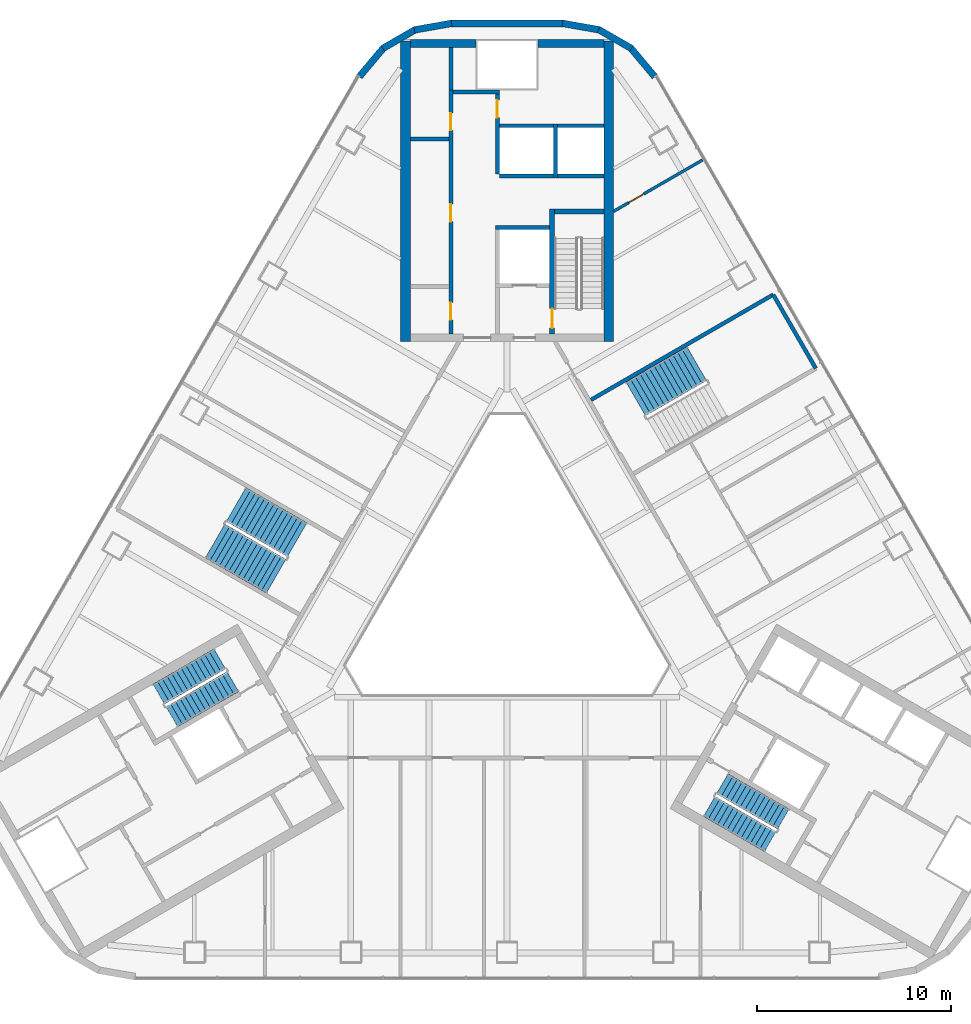
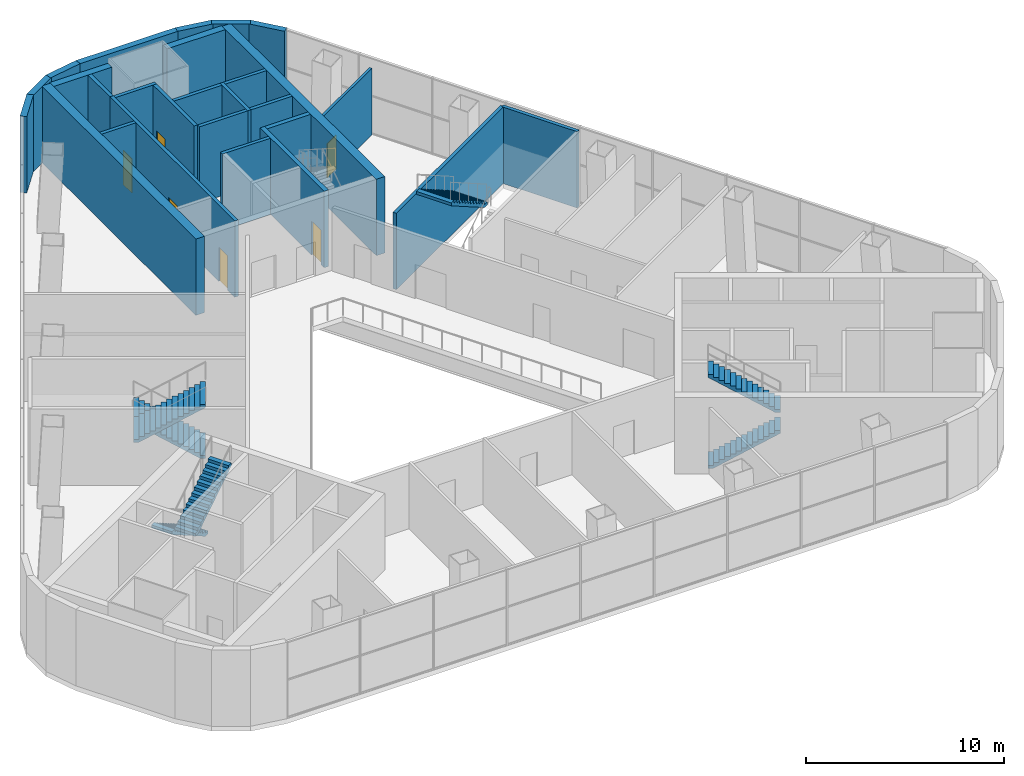
# One storey, part 10 of 13: 27 walls, 7 stair flights, 6 doors, 6 openings, 4 elements without a shape of their own.
"""IFC4 building model written with IfcOpenShell, lengths in metres."""

from ifc_helpers import new_model, si_unit, direction, frame, frame_2d, origin, place, context, subcontext, project, spatial, polyline, rectangle, outline, extrude, material, layer, layer_set, type_object, element, fill, aggregate, save


model = new_model("IFC4")

# Units and contexts
model_context = context("Model", 3, precision=1e-05, world=origin(), true_north=direction((0.0, 1.0)))
body_context = subcontext(model_context, "Body", "Model", "MODEL_VIEW")
ifc_project = project(units=[si_unit("LENGTHUNIT", "METRE"), si_unit("AREAUNIT", "SQUARE_METRE"), si_unit("VOLUMEUNIT", "CUBIC_METRE"), si_unit("PLANEANGLEUNIT", "RADIAN"), si_unit("MASSUNIT", "GRAM", prefix="KILO")], contexts=[model_context])

# Site, building, storey
site_placement = place(None, origin())
site = spatial("IfcSite", under=ifc_project, at=site_placement, CompositionType="ELEMENT")
building_placement = place(site_placement, origin())
building = spatial("IfcBuilding", under=site, at=building_placement, Name="Apuvela Tower Hotel", CompositionType="ELEMENT")
storey_placement = place(building_placement, frame((0.0, 0.0, 23.5)))
storey = spatial("IfcBuildingStorey", under=building, at=storey_placement, Name="L03", CompositionType="ELEMENT", Elevation=23.5)

# Walls
ifc_material_1 = material(Name="Concrete C50/60", Category="concrete")
ifc_layer_1 = layer(ifc_material_1, 0.39990234375)
ifc_layer_set_1 = layer_set([ifc_layer_1], Name="COR-WALL-CORE-400")
wall_type_1 = type_object("IfcWallType", Name="COR-WALL-CORE-400", PredefinedType="SHEAR", material=ifc_layer_set_1)
for number, where, z_axis, x_axis, name in (
    (1, (-1.60009765625, 28.300048828125, 0.0), (0.0, 0.0, 1.0), (-1.0, 0.0, 0.0), "Core wall N"),
    (2, (5.0, 28.300048828125, 0.0), (0.0, 0.0, 1.0), (-1.0, 0.0, 0.0), "Core wall N"),
):
    element("IfcWall", number, at=place(storey_placement, frame(where, z_axis=z_axis, x_axis=x_axis)), inside=storey, type_object=wall_type_1, Name=name, PredefinedType="SHEAR", context=body_context, shape_type="SweptSolid", body=[
        extrude(rectangle(XDim=3.39990234375, YDim=0.39990234375, at=frame_2d((1.699951171875, 0.0))), origin(), (0.0, 0.0, 1.0), 4.699951171875),
    ])
ifc_layer_2 = layer(ifc_material_1, 0.5)
ifc_layer_set_2 = layer_set([ifc_layer_2], Name="COR-WALL-CORE-500")
wall_type_2 = type_object("IfcWallType", Name="COR-WALL-CORE-500", PredefinedType="SHEAR", material=ifc_layer_set_2)
for number, where, z_axis, x_axis, name in (
    (3, (5.25, 12.89990234375, 0.0), (0.0, 0.0, 1.0), (0.0, 1.0, 0.0), "Core wall N"),
    (4, (-5.25, 12.89990234375, 0.0), (0.0, 0.0, 1.0), (0.0, 1.0, 0.0), "Core wall N"),
):
    element("IfcWall", number, at=place(storey_placement, frame(where, z_axis=z_axis, x_axis=x_axis)), inside=storey, type_object=wall_type_2, Name=name, PredefinedType="SHEAR", context=body_context, shape_type="SweptSolid", body=[
        extrude(rectangle(XDim=15.54248046875, YDim=0.5, at=frame_2d((7.771240234375, 0.0))), origin(), (0.0, 0.0, 1.0), 4.699951171875),
    ])
ifc_material_2 = material(Name="Blockwork 200 mm plastered", Category="masonry")
ifc_layer_3 = layer(ifc_material_2, 0.199951171875)
ifc_layer_set_3 = layer_set([ifc_layer_3], Name="COR-WALL-PART-200")
wall_type_3 = type_object("IfcWallType", Name="COR-WALL-PART-200", PredefinedType="PARTITIONING", material=ifc_layer_set_3)
wall_1_placement = place(storey_placement, frame((5.0, 21.449951171875, 0.0), z_axis=(0.0, 0.0, 1.0), x_axis=(-1.0, 0.0, 0.0)))
element("IfcWall", 5, at=wall_1_placement, inside=storey, type_object=wall_type_3, Name="Partition N", PredefinedType="PARTITIONING", context=body_context, shape_type="SweptSolid", body=[
    extrude(rectangle(XDim=2.39990234375, YDim=0.199951171875, at=frame_2d((1.199951171875, 0.0))), origin(), (0.0, 0.0, 1.0), 4.699951171875),
])
wall_2_placement = place(storey_placement, frame((2.39990234375, 21.449951171875, 0.0), z_axis=(0.0, 0.0, 1.0), x_axis=(-1.0, 0.0, 0.0)))
element("IfcWall", 6, at=wall_2_placement, inside=storey, type_object=wall_type_3, Name="Partition N", PredefinedType="PARTITIONING", context=body_context, shape_type="SweptSolid", body=[
    extrude(rectangle(XDim=2.7998046875, YDim=0.199951171875, at=frame_2d((1.39990234375, 0.0))), origin(), (0.0, 0.0, 1.0), 4.699951171875),
])
ifc_layer_4 = layer(ifc_material_1, 0.199951171875)
ifc_layer_set_4 = layer_set([ifc_layer_4], Name="COR-WALL-SHAFT-200")
wall_type_4 = type_object("IfcWallType", Name="COR-WALL-SHAFT-200", PredefinedType="SHEAR", material=ifc_layer_set_4)
wall_3_placement = place(storey_placement, frame((2.199951171875, 18.800048828125, 0.0), z_axis=(0.0, 0.0, 1.0), x_axis=(-1.0, 0.0, 0.0)))
element("IfcWall", 7, at=wall_3_placement, inside=storey, type_object=wall_type_4, Name="Shaft wall N", PredefinedType="SHEAR", context=body_context, shape_type="SweptSolid", body=[
    extrude(rectangle(XDim=2.800048828125, YDim=0.199951171875, at=frame_2d((1.39990234375, 0.0))), origin(), (0.0, 0.0, 1.0), 4.699951171875),
])

# Wall, openings, doors
wall_4_placement = place(storey_placement, frame((-2.89990234375, 13.300048828125, 0.0), z_axis=(0.0, 0.0, 1.0), x_axis=(0.0, 1.0, 0.0)))
wall_4 = element("IfcWall", 8, at=wall_4_placement, inside=storey, type_object=wall_type_4, Name="Shaft wall N", PredefinedType="SHEAR", context=body_context, shape_type="SweptSolid", body=[
    extrude(rectangle(XDim=12.599853515625, YDim=0.199951171875, at=frame_2d((6.2998046875, 0.0))), origin(), (0.0, 0.0, 1.0), 4.699951171875),
])
opening_1_placement = place(wall_4_placement, frame((0.719970703125, 0.0, 0.0)))
opening_1 = element("IfcOpeningElement", 9, at=opening_1_placement, cuts=wall_4, Name="Opening N-RE1", PredefinedType="OPENING", context=body_context, shape_type="SweptSolid", body=[
    extrude(rectangle(XDim=0.89990234375, YDim=2.10009765625, at=frame_2d((0.449951171875, 1.050048828125))), frame((0.0, 0.10986328125, 0.0), z_axis=(0.0, -1.0, 0.0), x_axis=(1.0, 0.0, 0.0)), (0.0, 0.0, 1.0), 0.219970703125),
])
opening_2_placement = place(wall_4_placement, frame((5.800048828125, 0.0, 0.0)))
opening_2 = element("IfcOpeningElement", 10, at=opening_2_placement, cuts=wall_4, Name="Opening N-RE2", PredefinedType="OPENING", context=body_context, shape_type="SweptSolid", body=[
    extrude(rectangle(XDim=0.89990234375, YDim=2.10009765625, at=frame_2d((0.449951171875, 1.050048828125))), frame((0.0, 0.10986328125, 0.0), z_axis=(0.0, -1.0, 0.0), x_axis=(1.0, 0.0, 0.0)), (0.0, 0.0, 1.0), 0.219970703125),
])
opening_3_placement = place(wall_4_placement, frame((10.510009765625, 0.0, 0.0)))
opening_3 = element("IfcOpeningElement", 11, at=opening_3_placement, cuts=wall_4, Name="Opening N-REP", PredefinedType="OPENING", context=body_context, shape_type="SweptSolid", body=[
    extrude(rectangle(XDim=0.89990234375, YDim=2.10009765625, at=frame_2d((0.449951171875, 1.050048828125))), frame((0.0, 0.10986328125, 0.0), z_axis=(0.0, -1.0, 0.0), x_axis=(1.0, 0.0, 0.0)), (0.0, 0.0, 1.0), 0.219970703125),
])
ifc_material_3 = material(Name="Steel fire door, powder coated", Category="steel")
door_type_1 = type_object("IfcDoorType", Name="COR-DR-900", OperationType="NOTDEFINED", PredefinedType="DOOR", material=ifc_material_3)
door_1_placement = place(opening_1_placement, origin())
door_1 = element("IfcDoor", 12, at=door_1_placement, inside=storey, type_object=door_type_1, Name="Store door N-RE1", OperationType="SINGLE_SWING_LEFT", OverallHeight=2.10009765625, OverallWidth=0.89990234375, PredefinedType="DOOR", context=body_context, shape_type="SweptSolid", body=[
    extrude(rectangle(XDim=0.89990234375, YDim=2.10009765625, at=frame_2d((0.449951171875, 1.050048828125))), frame((0.0, 0.02490234375, 0.0), z_axis=(0.0, -1.0, 0.0), x_axis=(1.0, 0.0, 0.0)), (0.0, 0.0, 1.0), 0.050048828125),
])
fill(opening_1, door_1)
door_2_placement = place(opening_2_placement, origin())
door_2 = element("IfcDoor", 13, at=door_2_placement, inside=storey, type_object=door_type_1, Name="Store door N-RE2", OperationType="SINGLE_SWING_RIGHT", OverallHeight=2.10009765625, OverallWidth=0.89990234375, PredefinedType="DOOR", context=body_context, shape_type="SweptSolid", body=[
    extrude(rectangle(XDim=0.89990234375, YDim=2.10009765625, at=frame_2d((0.449951171875, 1.050048828125))), frame((0.0, 0.02490234375, 0.0), z_axis=(0.0, -1.0, 0.0), x_axis=(1.0, 0.0, 0.0)), (0.0, 0.0, 1.0), 0.050048828125),
])
fill(opening_2, door_2)
door_3_placement = place(opening_3_placement, origin())
door_3 = element("IfcDoor", 14, at=door_3_placement, inside=storey, type_object=door_type_1, Name="Store door N-REP", OperationType="SINGLE_SWING_RIGHT", OverallHeight=2.10009765625, OverallWidth=0.89990234375, PredefinedType="DOOR", context=body_context, shape_type="SweptSolid", body=[
    extrude(rectangle(XDim=0.89990234375, YDim=2.10009765625, at=frame_2d((0.449951171875, 1.050048828125))), frame((0.0, 0.02490234375, 0.0), z_axis=(0.0, -1.0, 0.0), x_axis=(1.0, 0.0, 0.0)), (0.0, 0.0, 1.0), 0.050048828125),
])
fill(opening_3, door_3)

# Wall
wall_5_placement = place(storey_placement, frame((-0.39990234375, 25.800048828125, 0.0), z_axis=(0.0, 0.0, 1.0), x_axis=(-1.0, 0.0, 0.0)))
element("IfcWall", 15, at=wall_5_placement, inside=storey, type_object=wall_type_4, Name="Shaft wall N", PredefinedType="SHEAR", context=body_context, shape_type="SweptSolid", body=[
    extrude(rectangle(XDim=2.400146484375, YDim=0.199951171875, at=frame_2d((1.2001953125, 0.0))), origin(), (0.0, 0.0, 1.0), 4.699951171875),
])

# Wall, opening, door
wall_6_placement = place(storey_placement, frame((-0.5, 21.550048828125, 0.0), z_axis=(0.0, 0.0, 1.0), x_axis=(0.0, 1.0, 0.0)))
wall_6 = element("IfcWall", 16, at=wall_6_placement, inside=storey, type_object=wall_type_4, Name="Shaft wall N", PredefinedType="SHEAR", context=body_context, shape_type="SweptSolid", body=[
    extrude(rectangle(XDim=4.14990234375, YDim=0.199951171875, at=frame_2d((2.074951171875, 0.0))), origin(), (0.0, 0.0, 1.0), 4.699951171875),
])
opening_4_placement = place(wall_6_placement, frame((2.925048828125, 0.0, 0.0)))
opening_4 = element("IfcOpeningElement", 17, at=opening_4_placement, cuts=wall_6, Name="Opening N-RSP", PredefinedType="OPENING", context=body_context, shape_type="SweptSolid", body=[
    extrude(rectangle(XDim=0.89990234375, YDim=2.10009765625, at=frame_2d((0.449951171875, 1.050048828125))), frame((0.0, 0.10986328125, 0.0), z_axis=(0.0, -1.0, 0.0), x_axis=(1.0, 0.0, 0.0)), (0.0, 0.0, 1.0), 0.219970703125),
])
door_4_placement = place(opening_4_placement, frame((0.89990234375, 0.0, 0.0), z_axis=(0.0, 0.0, 1.0), x_axis=(-1.0, 0.0, 0.0)))
door_4 = element("IfcDoor", 18, at=door_4_placement, inside=storey, type_object=door_type_1, Name="Store door N-RSP", OperationType="SINGLE_SWING_LEFT", OverallHeight=2.10009765625, OverallWidth=0.89990234375, PredefinedType="DOOR", context=body_context, shape_type="SweptSolid", body=[
    extrude(rectangle(XDim=0.89990234375, YDim=2.10009765625, at=frame_2d((0.449951171875, 1.050048828125))), frame((0.0, 0.02490234375, 0.0), z_axis=(0.0, -1.0, 0.0), x_axis=(1.0, 0.0, 0.0)), (0.0, 0.0, 1.0), 0.050048828125),
])
fill(opening_4, door_4)

# Walls
wall_7_placement = place(storey_placement, frame((-3.0, 23.360107421875, 0.0), z_axis=(0.0, 0.0, 1.0), x_axis=(-1.0, 0.0, 0.0)))
element("IfcWall", 19, at=wall_7_placement, inside=storey, type_object=wall_type_4, Name="Shaft wall N", PredefinedType="SHEAR", context=body_context, shape_type="SweptSolid", body=[
    extrude(rectangle(XDim=2.0, YDim=0.199951171875, at=frame_2d((1.0, 0.0))), origin(), (0.0, 0.0, 1.0), 4.699951171875),
])
wall_8_placement = place(storey_placement, frame((-2.89990234375, 25.89990234375, 0.0), z_axis=(0.0, 0.0, 1.0), x_axis=(0.0, 1.0, 0.0)))
element("IfcWall", 20, at=wall_8_placement, inside=storey, type_object=wall_type_4, Name="Shaft wall N", PredefinedType="SHEAR", context=body_context, shape_type="SweptSolid", body=[
    extrude(rectangle(XDim=2.2001953125, YDim=0.199951171875, at=frame_2d((1.10009765625, 0.0))), origin(), (0.0, 0.0, 1.0), 4.699951171875),
])
wall_9_placement = place(storey_placement, frame((2.5, 21.35009765625, 0.0), z_axis=(0.0, 0.0, 1.0), x_axis=(0.0, 1.0, 0.0)))
element("IfcWall", 21, at=wall_9_placement, inside=storey, type_object=wall_type_4, Name="Shaft wall N", PredefinedType="SHEAR", context=body_context, shape_type="SweptSolid", body=[
    extrude(rectangle(XDim=2.7998046875, YDim=0.199951171875, at=frame_2d((1.39990234375, 0.0))), origin(), (0.0, 0.0, 1.0), 4.699951171875),
])
wall_10_placement = place(storey_placement, frame((5.0, 24.050048828125, 0.0), z_axis=(0.0, 0.0, 1.0), x_axis=(-1.0, 0.0, 0.0)))
element("IfcWall", 22, at=wall_10_placement, inside=storey, type_object=wall_type_4, Name="Shaft wall N", PredefinedType="SHEAR", context=body_context, shape_type="SweptSolid", body=[
    extrude(rectangle(XDim=2.39990234375, YDim=0.199951171875, at=frame_2d((1.199951171875, 0.0))), origin(), (0.0, 0.0, 1.0), 4.699951171875),
])
wall_11_placement = place(storey_placement, frame((2.39990234375, 24.050048828125, 0.0), z_axis=(0.0, 0.0, 1.0), x_axis=(-1.0, 0.0, 0.0)))
element("IfcWall", 23, at=wall_11_placement, inside=storey, type_object=wall_type_4, Name="Shaft wall N", PredefinedType="SHEAR", context=body_context, shape_type="SweptSolid", body=[
    extrude(rectangle(XDim=2.7998046875, YDim=0.199951171875, at=frame_2d((1.39990234375, 0.0))), origin(), (0.0, 0.0, 1.0), 4.699951171875),
])

# Wall, opening, door
ifc_layer_5 = layer(ifc_material_1, 0.25)
ifc_layer_set_5 = layer_set([ifc_layer_5], Name="COR-WALL-STAIR-250")
wall_type_5 = type_object("IfcWallType", Name="COR-WALL-STAIR-250", PredefinedType="SHEAR", material=ifc_layer_set_5)
wall_12_placement = place(storey_placement, frame((2.324951171875, 13.300048828125, 0.0), z_axis=(0.0, 0.0, 1.0), x_axis=(0.0, 1.0, 0.0)))
wall_12 = element("IfcWall", 24, at=wall_12_placement, inside=storey, type_object=wall_type_5, Name="Stair wall N", PredefinedType="SHEAR", context=body_context, shape_type="SweptSolid", body=[
    extrude(rectangle(XDim=6.449951171875, YDim=0.25, at=frame_2d((3.22509765625, 0.0))), origin(), (0.0, 0.0, 1.0), 4.699951171875),
])
opening_5_placement = place(wall_12_placement, frame((0.300048828125, 0.0, 0.0)))
opening_5 = element("IfcOpeningElement", 25, at=opening_5_placement, cuts=wall_12, Name="Opening N-SD", PredefinedType="OPENING", context=body_context, shape_type="SweptSolid", body=[
    extrude(rectangle(XDim=1.0, YDim=2.10009765625, at=frame_2d((0.5, 1.050048828125))), frame((0.0, 0.135009765625, 0.0), z_axis=(0.0, -1.0, 0.0), x_axis=(1.0, 0.0, 0.0)), (0.0, 0.0, 1.0), 0.27001953125),
])
door_type_2 = type_object("IfcDoorType", Name="COR-SD-1000", OperationType="NOTDEFINED", PredefinedType="DOOR", material=ifc_material_3)
door_5_placement = place(opening_5_placement, frame((1.0, 0.0, 0.0), z_axis=(0.0, 0.0, 1.0), x_axis=(-1.0, 0.0, 0.0)))
door_5 = element("IfcDoor", 26, at=door_5_placement, inside=storey, type_object=door_type_2, Name="Stair door N-SD", OperationType="SINGLE_SWING_LEFT", OverallHeight=2.10009765625, OverallWidth=1.0, PredefinedType="DOOR", context=body_context, shape_type="SweptSolid", body=[
    extrude(rectangle(XDim=1.0, YDim=2.10009765625, at=frame_2d((0.5, 1.050048828125))), frame((0.0, 0.02490234375, 0.0), z_axis=(0.0, -1.0, 0.0), x_axis=(1.0, 0.0, 0.0)), (0.0, 0.0, 1.0), 0.050048828125),
])
fill(opening_5, door_5)

# Walls
wall_13_placement = place(storey_placement, frame((5.0, 19.625, 0.0), z_axis=(0.0, 0.0, 1.0), x_axis=(-1.0, 0.0, 0.0)))
element("IfcWall", 27, at=wall_13_placement, inside=storey, type_object=wall_type_5, Name="Stair wall N", PredefinedType="SHEAR", context=body_context, shape_type="SweptSolid", body=[
    extrude(rectangle(XDim=2.550048828125, YDim=0.25, at=frame_2d((1.27490234375, 0.0))), origin(), (0.0, 0.0, 1.0), 4.699951171875),
])
ifc_material_4 = material(Name="Concrete C40/50, dark pigmented precast panel", Category="concrete")
ifc_layer_6 = layer(ifc_material_4, 0.35009765625)
ifc_layer_set_6 = layer_set([ifc_layer_6], Name="ENV-WALL-350")
wall_type_6 = type_object("IfcWallType", Name="ENV-WALL-350", PredefinedType="SOLIDWALL", material=ifc_layer_set_6)
wall_14_placement = place(storey_placement, frame((6.42138671875, 28.048095703125, 0.0), z_axis=(0.0, 0.0, 1.0), x_axis=(-0.866027425724, 0.499996497882, 0.0)))
element("IfcWall", 28, at=wall_14_placement, inside=storey, type_object=wall_type_6, Name="External wall L03-01", PredefinedType="SOLIDWALL", context=body_context, shape_type="SweptSolid", body=[
    extrude(rectangle(XDim=1.95361328125, YDim=0.35009765625, at=frame_2d((0.976806640625, 0.0))), origin(), (0.0, 0.0, 1.0), 4.699951171875),
])
wall_15_placement = place(storey_placement, frame((4.786865234375, 29.004150390625, 0.0), z_axis=(0.0, 0.0, 1.0), x_axis=(-0.98479990812, 0.173692662389, 0.0)))
element("IfcWall", 29, at=wall_15_placement, inside=storey, type_object=wall_type_6, Name="External wall L03-02", PredefinedType="SOLIDWALL", context=body_context, shape_type="SweptSolid", body=[
    extrude(rectangle(XDim=1.953857421875, YDim=0.35009765625, at=frame_2d((0.97705078125, 0.0))), origin(), (0.0, 0.0, 1.0), 4.699951171875),
])
wall_16_placement = place(storey_placement, frame((2.893310546875, 29.3408203125, 0.0), z_axis=(0.0, 0.0, 1.0), x_axis=(-1.0, 0.0, 0.0)))
element("IfcWall", 30, at=wall_16_placement, inside=storey, type_object=wall_type_6, Name="External wall L03-03", PredefinedType="SOLIDWALL", context=body_context, shape_type="SweptSolid", body=[
    extrude(rectangle(XDim=5.78662109375, YDim=0.35009765625, at=frame_2d((2.893310546875, 0.0))), origin(), (0.0, 0.0, 1.0), 4.699951171875),
])
wall_17_placement = place(storey_placement, frame((-2.86279296875, 29.343505859375, 0.0), z_axis=(0.0, 0.0, 1.0), x_axis=(-0.98479990812, -0.173692662389, 0.0)))
element("IfcWall", 31, at=wall_17_placement, inside=storey, type_object=wall_type_6, Name="External wall L03-04", PredefinedType="SOLIDWALL", context=body_context, shape_type="SweptSolid", body=[
    extrude(rectangle(XDim=1.953857421875, YDim=0.35009765625, at=frame_2d((0.97705078125, 0.0))), origin(), (0.0, 0.0, 1.0), 4.699951171875),
])
wall_18_placement = place(storey_placement, frame((-4.7294921875, 29.02490234375, 0.0), z_axis=(0.0, 0.0, 1.0), x_axis=(-0.866027425724, -0.499996497882, 0.0)))
element("IfcWall", 32, at=wall_18_placement, inside=storey, type_object=wall_type_6, Name="External wall L03-05", PredefinedType="SOLIDWALL", context=body_context, shape_type="SweptSolid", body=[
    extrude(rectangle(XDim=1.95361328125, YDim=0.35009765625, at=frame_2d((0.976806640625, 0.0))), origin(), (0.0, 0.0, 1.0), 4.699951171875),
])
for number, where, z_axis, x_axis, name in (
    (33, (-6.375, 28.087158203125, 0.0), (0.0, 0.0, 1.0), (-0.642799224464, -0.766034697013, 0.0), "External wall L03-06"),
    (34, (7.630615234375, 26.5908203125, 0.0), (0.0, 0.0, 1.0), (-0.642799224464, 0.766034697013, 0.0), "External wall L03-24"),
):
    element("IfcWall", number, at=place(storey_placement, frame(where, z_axis=z_axis, x_axis=x_axis)), inside=storey, type_object=wall_type_6, Name=name, PredefinedType="SOLIDWALL", context=body_context, shape_type="SweptSolid", body=[
        extrude(rectangle(XDim=1.953369140625, YDim=0.35009765625, at=frame_2d((0.9765625, 0.0))), origin(), (0.0, 0.0, 1.0), 4.699951171875),
    ])

# Wall, opening, door
ifc_material_5 = material(Name="Gypsum board partition on steel stud", Category="steel")
ifc_layer_7 = layer(ifc_material_5, 0.14990234375)
ifc_layer_set_7 = layer_set([ifc_layer_7], Name="SPC-WALL-PARTITION")
wall_type_7 = type_object("IfcWallType", Name="SPC-WALL-PARTITION", PredefinedType="PARTITIONING", material=ifc_layer_set_7)
wall_19_placement = place(storey_placement, frame((10.088134765625, 22.27880859375, 0.0), z_axis=(0.0, 0.0, 1.0), x_axis=(-0.866028269386, -0.4999950366, 0.0)))
wall_19 = element("IfcWall", 35, at=wall_19_placement, inside=storey, type_object=wall_type_7, Name="Wall L03-NE-P08", PredefinedType="PARTITIONING", context=body_context, shape_type="SweptSolid", body=[
    extrude(rectangle(XDim=5.2978515625, YDim=0.14990234375, at=frame_2d((2.64892578125, 0.0))), origin(), (0.0, 0.0, 1.0), 4.10009765625),
])
opening_6_placement = place(wall_19_placement, frame((3.4990234375, 0.0, 0.0)))
opening_6 = element("IfcOpeningElement", 36, at=opening_6_placement, cuts=wall_19, Name="Opening L03-S04", PredefinedType="OPENING", context=body_context, shape_type="SweptSolid", body=[
    extrude(rectangle(XDim=0.89990234375, YDim=2.10009765625, at=frame_2d((0.449951171875, 1.050048828125))), frame((0.0, 0.0849609375, 0.0), z_axis=(0.0, -1.0, 0.0), x_axis=(1.0, 0.0, 0.0)), (0.0, 0.0, 1.0), 0.169921875),
])
ifc_material_6 = material(Name="Hardwood veneer door leaf", Category="wood")
door_type_3 = type_object("IfcDoorType", Name="SPC-DOOR-900", OperationType="NOTDEFINED", PredefinedType="DOOR", material=ifc_material_6)
door_6_placement = place(opening_6_placement, frame((0.89990234375, 0.0, 0.0), z_axis=(0.0, 0.0, 1.0), x_axis=(-1.0, 0.0, 0.0)))
door_6 = element("IfcDoor", 37, at=door_6_placement, inside=storey, type_object=door_type_3, Name="L03-S04", OperationType="SINGLE_SWING_RIGHT", OverallHeight=2.10009765625, OverallWidth=0.89990234375, PredefinedType="DOOR", context=body_context, shape_type="SweptSolid", body=[
    extrude(rectangle(XDim=0.89990234375, YDim=2.10009765625, at=frame_2d((0.449951171875, 1.050048828125))), frame((0.0, 0.02490234375, 0.0), z_axis=(0.0, -1.0, 0.0), x_axis=(1.0, 0.0, 0.0)), (0.0, 0.0, 1.0), 0.050048828125),
])
fill(opening_6, door_6)

# Walls
ifc_material_7 = material(Name="Concrete C40/50", Category="concrete")
ifc_layer_8 = layer(ifc_material_7, 0.199951171875)
ifc_layer_set_8 = layer_set([ifc_layer_8], Name="SPC-WALL-STAIR")
wall_type_8 = type_object("IfcWallType", Name="SPC-WALL-STAIR", PredefinedType="SOLIDWALL", material=ifc_layer_set_8)
wall_20_placement = place(storey_placement, frame((13.748046875, 15.32763671875, 0.0), z_axis=(0.0, 0.0, 1.0), x_axis=(-0.86602026553, -0.500008899612, 0.0)))
element("IfcWall", 38, at=wall_20_placement, inside=storey, type_object=wall_type_8, Name="Wall L03-NE-P07", PredefinedType="SOLIDWALL", context=body_context, shape_type="SweptSolid", body=[
    extrude(rectangle(XDim=10.869873046875, YDim=0.199951171875, at=frame_2d((5.43505859375, 0.0))), origin(), (0.0, 0.0, 1.0), 4.699951171875),
])
wall_21_placement = place(storey_placement, frame((15.947998046875, 11.51708984375, 0.0), z_axis=(0.0, 0.0, 1.0), x_axis=(-0.499988222896, 0.866032203192, 0.0)))
element("IfcWall", 39, at=wall_21_placement, inside=storey, type_object=wall_type_8, Name="Wall L03-NE-FWX", PredefinedType="SOLIDWALL", context=body_context, shape_type="SweptSolid", body=[
    extrude(rectangle(XDim=4.39990234375, YDim=0.199951171875, at=frame_2d((2.199951171875, 0.0))), origin(), (0.0, 0.0, 1.0), 4.699951171875),
])

# Stair, stair flights
stair_type_1 = type_object("IfcStairType", Name="COR-STAIR-28R", PredefinedType="HALF_TURN_STAIR", material=ifc_material_1)
stair_1_placement = place(storey_placement, origin())
stair_1 = element("IfcStair", 40, at=stair_1_placement, inside=storey, type_object=stair_type_1, Name="L03 Exit stair ST2", PredefinedType="HALF_TURN_STAIR")
stair_flight_type_1 = type_object("IfcStairFlightType", Name="COR-FLIGHT-14R", PredefinedType="STRAIGHT", material=ifc_material_1)
stair_flight_1_placement = place(storey_placement, frame((-14.843994140625, -3.489501953125, 0.0), z_axis=(0.0, 0.0, 1.0), x_axis=(-0.866025403784, -0.5, 0.0)))
stair_flight_1 = element("IfcStairFlight", 41, at=stair_flight_1_placement, type_object=stair_flight_type_1, Name="ST2 flight 1", NumberOfRisers=14, NumberOfTreads=13, PredefinedType="STRAIGHT", RiserHeight=0.178571429, TreadLength=0.28, context=body_context, shape_type="SweptSolid", body=[
    extrude(outline(polyline([(0.0, 0.0), (0.0, 0.178466796875), (0.280029296875, 0.178466796875), (0.280029296875, 0.357177734375), (0.56005859375, 0.357177734375), (0.56005859375, 0.53564453125), (0.840087890625, 0.53564453125), (0.840087890625, 0.71435546875), (1.1201171875, 0.71435546875), (1.1201171875, 0.892822265625), (1.39990234375, 0.892822265625), (1.39990234375, 1.071533203125), (1.679931640625, 1.071533203125), (1.679931640625, 1.25), (1.9599609375, 1.25), (1.9599609375, 1.428466796875), (2.239990234375, 1.428466796875), (2.239990234375, 1.607177734375), (2.52001953125, 1.607177734375), (2.52001953125, 1.78564453125), (2.800048828125, 1.78564453125), (2.800048828125, 1.96435546875), (3.080078125, 1.96435546875), (3.080078125, 2.142822265625), (3.360107421875, 2.142822265625), (3.360107421875, 2.321533203125), (3.639892578125, 2.321533203125), (3.639892578125, 2.5), (3.639892578125, 2.1435546875), (0.27880859375, 0.0), (0.0, 0.0)])), frame((0.0, 0.60009765625, 0.0), z_axis=(0.0, -1.0, 0.0), x_axis=(1.0, 0.0, 0.0)), (0.0, 0.0, 1.0), 1.199951171875),
])
stair_flight_2_placement = place(storey_placement, frame((-17.3212890625, -6.478515625, 2.5), z_axis=(0.0, 0.0, 1.0), x_axis=(0.866025403784, 0.5, 0.0)))
stair_flight_2 = element("IfcStairFlight", 42, at=stair_flight_2_placement, type_object=stair_flight_type_1, Name="ST2 flight 2", NumberOfRisers=14, NumberOfTreads=13, PredefinedType="STRAIGHT", RiserHeight=0.178571429, TreadLength=0.28, context=body_context, shape_type="SweptSolid", body=[
    extrude(outline(polyline([(0.0, 0.0), (0.0, 0.178466796875), (0.280029296875, 0.178466796875), (0.280029296875, 0.357177734375), (0.56005859375, 0.357177734375), (0.56005859375, 0.53564453125), (0.840087890625, 0.53564453125), (0.840087890625, 0.71435546875), (1.1201171875, 0.71435546875), (1.1201171875, 0.892822265625), (1.39990234375, 0.892822265625), (1.39990234375, 1.071533203125), (1.679931640625, 1.071533203125), (1.679931640625, 1.25), (1.9599609375, 1.25), (1.9599609375, 1.428466796875), (2.239990234375, 1.428466796875), (2.239990234375, 1.607177734375), (2.52001953125, 1.607177734375), (2.52001953125, 1.78564453125), (2.800048828125, 1.78564453125), (2.800048828125, 1.96435546875), (3.080078125, 1.96435546875), (3.080078125, 2.142822265625), (3.360107421875, 2.142822265625), (3.360107421875, 2.321533203125), (3.639892578125, 2.321533203125), (3.639892578125, 2.5), (3.639892578125, 2.1435546875), (0.27880859375, 0.0), (0.0, 0.0)])), frame((0.0, 0.60009765625, 0.0), z_axis=(0.0, -1.0, 0.0), x_axis=(1.0, 0.0, 0.0)), (0.0, 0.0, 1.0), 1.199951171875),
])
aggregate(stair_1, [stair_flight_1, stair_flight_2])

stair_2_placement = place(storey_placement, origin())
stair_2 = element("IfcStair", 43, at=stair_2_placement, inside=storey, type_object=stair_type_1, Name="L03 Exit stair ST3", PredefinedType="HALF_TURN_STAIR")
stair_flight_3_placement = place(storey_placement, frame((10.444091796875, -11.110595703125, 0.0), z_axis=(0.0, 0.0, 1.0), x_axis=(0.866025403784, -0.5, 0.0)))
stair_flight_3 = element("IfcStairFlight", 44, at=stair_flight_3_placement, type_object=stair_flight_type_1, Name="ST3 flight 1", NumberOfRisers=14, NumberOfTreads=13, PredefinedType="STRAIGHT", RiserHeight=0.178571429, TreadLength=0.28, context=body_context, shape_type="SweptSolid", body=[
    extrude(outline(polyline([(0.0, 0.0), (0.0, 0.178466796875), (0.280029296875, 0.178466796875), (0.280029296875, 0.357177734375), (0.56005859375, 0.357177734375), (0.56005859375, 0.53564453125), (0.840087890625, 0.53564453125), (0.840087890625, 0.71435546875), (1.1201171875, 0.71435546875), (1.1201171875, 0.892822265625), (1.39990234375, 0.892822265625), (1.39990234375, 1.071533203125), (1.679931640625, 1.071533203125), (1.679931640625, 1.25), (1.9599609375, 1.25), (1.9599609375, 1.428466796875), (2.239990234375, 1.428466796875), (2.239990234375, 1.607177734375), (2.52001953125, 1.607177734375), (2.52001953125, 1.78564453125), (2.800048828125, 1.78564453125), (2.800048828125, 1.96435546875), (3.080078125, 1.96435546875), (3.080078125, 2.142822265625), (3.360107421875, 2.142822265625), (3.360107421875, 2.321533203125), (3.639892578125, 2.321533203125), (3.639892578125, 2.5), (3.639892578125, 2.1435546875), (0.27880859375, 0.0), (0.0, 0.0)])), frame((0.0, 0.60009765625, 0.0), z_axis=(0.0, -1.0, 0.0), x_axis=(1.0, 0.0, 0.0)), (0.0, 0.0, 1.0), 1.199951171875),
])
stair_flight_4_placement = place(storey_placement, frame((14.271240234375, -11.761474609375, 2.5), z_axis=(0.0, 0.0, 1.0), x_axis=(-0.866025403784, 0.5, 0.0)))
stair_flight_4 = element("IfcStairFlight", 45, at=stair_flight_4_placement, type_object=stair_flight_type_1, Name="ST3 flight 2", NumberOfRisers=14, NumberOfTreads=13, PredefinedType="STRAIGHT", RiserHeight=0.178571429, TreadLength=0.28, context=body_context, shape_type="SweptSolid", body=[
    extrude(outline(polyline([(0.0, 0.0), (0.0, 0.178466796875), (0.280029296875, 0.178466796875), (0.280029296875, 0.357177734375), (0.56005859375, 0.357177734375), (0.56005859375, 0.53564453125), (0.840087890625, 0.53564453125), (0.840087890625, 0.71435546875), (1.1201171875, 0.71435546875), (1.1201171875, 0.892822265625), (1.39990234375, 0.892822265625), (1.39990234375, 1.071533203125), (1.679931640625, 1.071533203125), (1.679931640625, 1.25), (1.9599609375, 1.25), (1.9599609375, 1.428466796875), (2.239990234375, 1.428466796875), (2.239990234375, 1.607177734375), (2.52001953125, 1.607177734375), (2.52001953125, 1.78564453125), (2.800048828125, 1.78564453125), (2.800048828125, 1.96435546875), (3.080078125, 1.96435546875), (3.080078125, 2.142822265625), (3.360107421875, 2.142822265625), (3.360107421875, 2.321533203125), (3.639892578125, 2.321533203125), (3.639892578125, 2.5), (3.639892578125, 2.1435546875), (0.27880859375, 0.0), (0.0, 0.0)])), frame((0.0, 0.60009765625, 0.0), z_axis=(0.0, -1.0, 0.0), x_axis=(1.0, 0.0, 0.0)), (0.0, 0.0, 1.0), 1.199951171875),
])
aggregate(stair_2, [stair_flight_3, stair_flight_4])

# Stair, stair flight
stair_type_2 = type_object("IfcStairType", Name="SPC-STAIR-PS", PredefinedType="HALF_TURN_STAIR", material=ifc_material_7)
stair_3_placement = place(storey_placement, origin())
stair_3 = element("IfcStair", 46, at=stair_3_placement, inside=storey, type_object=stair_type_2, Name="L03 Protected exit stair PS1", PredefinedType="HALF_TURN_STAIR")
stair_flight_type_2 = type_object("IfcStairFlightType", Name="SPC-FLIGHT-PS", PredefinedType="STRAIGHT", material=ifc_material_7)
stair_flight_5_placement = place(storey_placement, frame((9.796630859375, 11.76171875, 2.5), z_axis=(0.0, 0.0, 1.0), x_axis=(-0.866025403784, -0.5, 0.0)))
stair_flight_5 = element("IfcStairFlight", 47, at=stair_flight_5_placement, type_object=stair_flight_type_2, Name="PS1 flight 2", NumberOfRisers=14, NumberOfTreads=13, PredefinedType="STRAIGHT", RiserHeight=0.178571429, TreadLength=0.28, context=body_context, shape_type="SweptSolid", body=[
    extrude(outline(polyline([(0.0, 0.0), (0.0, 0.178466796875), (0.280029296875, 0.178466796875), (0.280029296875, 0.357177734375), (0.56005859375, 0.357177734375), (0.56005859375, 0.53564453125), (0.840087890625, 0.53564453125), (0.840087890625, 0.71435546875), (1.1201171875, 0.71435546875), (1.1201171875, 0.892822265625), (1.39990234375, 0.892822265625), (1.39990234375, 1.071533203125), (1.679931640625, 1.071533203125), (1.679931640625, 1.25), (1.9599609375, 1.25), (1.9599609375, 1.428466796875), (2.239990234375, 1.428466796875), (2.239990234375, 1.607177734375), (2.52001953125, 1.607177734375), (2.52001953125, 1.78564453125), (2.800048828125, 1.78564453125), (2.800048828125, 1.96435546875), (3.080078125, 1.96435546875), (3.080078125, 2.142822265625), (3.360107421875, 2.142822265625), (3.360107421875, 2.321533203125), (3.639892578125, 2.321533203125), (3.639892578125, 2.5), (3.639892578125, 2.1435546875), (0.27880859375, 0.0), (0.0, 0.0)])), frame((0.0, 1.012451171875, 0.0), z_axis=(0.0, -1.0, 0.0), x_axis=(1.0, 0.0, 0.0)), (0.0, 0.0, 1.0), 2.02490234375),
])
aggregate(stair_3, [stair_flight_5])

# Stair, stair flights
stair_4_placement = place(storey_placement, origin())
stair_4 = element("IfcStair", 48, at=stair_4_placement, inside=storey, type_object=stair_type_2, Name="L03 Protected exit stair PS2", PredefinedType="HALF_TURN_STAIR")
stair_flight_6_placement = place(storey_placement, frame((-10.844482421875, 2.6669921875, 0.0), z_axis=(0.0, 0.0, 1.0), x_axis=(-0.866025403784, 0.5, 0.0)))
stair_flight_6 = element("IfcStairFlight", 49, at=stair_flight_6_placement, type_object=stair_flight_type_2, Name="PS2 flight 1", NumberOfRisers=14, NumberOfTreads=13, PredefinedType="STRAIGHT", RiserHeight=0.178571429, TreadLength=0.28, context=body_context, shape_type="SweptSolid", body=[
    extrude(outline(polyline([(0.0, 0.0), (0.0, 0.178466796875), (0.280029296875, 0.178466796875), (0.280029296875, 0.357177734375), (0.56005859375, 0.357177734375), (0.56005859375, 0.53564453125), (0.840087890625, 0.53564453125), (0.840087890625, 0.71435546875), (1.1201171875, 0.71435546875), (1.1201171875, 0.892822265625), (1.39990234375, 0.892822265625), (1.39990234375, 1.071533203125), (1.679931640625, 1.071533203125), (1.679931640625, 1.25), (1.9599609375, 1.25), (1.9599609375, 1.428466796875), (2.239990234375, 1.428466796875), (2.239990234375, 1.607177734375), (2.52001953125, 1.607177734375), (2.52001953125, 1.78564453125), (2.800048828125, 1.78564453125), (2.800048828125, 1.96435546875), (3.080078125, 1.96435546875), (3.080078125, 2.142822265625), (3.360107421875, 2.142822265625), (3.360107421875, 2.321533203125), (3.639892578125, 2.321533203125), (3.639892578125, 2.5), (3.639892578125, 2.1435546875), (0.27880859375, 0.0), (0.0, 0.0)])), frame((0.0, 1.012451171875, 0.0), z_axis=(0.0, -1.0, 0.0), x_axis=(1.0, 0.0, 0.0)), (0.0, 0.0, 1.0), 2.02490234375),
])
stair_flight_7_placement = place(storey_placement, frame((-15.084228515625, 2.603271484375, 2.5), z_axis=(0.0, 0.0, 1.0), x_axis=(0.866025403784, -0.5, 0.0)))
stair_flight_7 = element("IfcStairFlight", 50, at=stair_flight_7_placement, type_object=stair_flight_type_2, Name="PS2 flight 2", NumberOfRisers=14, NumberOfTreads=13, PredefinedType="STRAIGHT", RiserHeight=0.178571429, TreadLength=0.28, context=body_context, shape_type="SweptSolid", body=[
    extrude(outline(polyline([(0.0, 0.0), (0.0, 0.178466796875), (0.280029296875, 0.178466796875), (0.280029296875, 0.357177734375), (0.56005859375, 0.357177734375), (0.56005859375, 0.53564453125), (0.840087890625, 0.53564453125), (0.840087890625, 0.71435546875), (1.1201171875, 0.71435546875), (1.1201171875, 0.892822265625), (1.39990234375, 0.892822265625), (1.39990234375, 1.071533203125), (1.679931640625, 1.071533203125), (1.679931640625, 1.25), (1.9599609375, 1.25), (1.9599609375, 1.428466796875), (2.239990234375, 1.428466796875), (2.239990234375, 1.607177734375), (2.52001953125, 1.607177734375), (2.52001953125, 1.78564453125), (2.800048828125, 1.78564453125), (2.800048828125, 1.96435546875), (3.080078125, 1.96435546875), (3.080078125, 2.142822265625), (3.360107421875, 2.142822265625), (3.360107421875, 2.321533203125), (3.639892578125, 2.321533203125), (3.639892578125, 2.5), (3.639892578125, 2.1435546875), (0.27880859375, 0.0), (0.0, 0.0)])), frame((0.0, 1.012451171875, 0.0), z_axis=(0.0, -1.0, 0.0), x_axis=(1.0, 0.0, 0.0)), (0.0, 0.0, 1.0), 2.02490234375),
])
aggregate(stair_4, [stair_flight_6, stair_flight_7])

save(model, "model.ifc")
